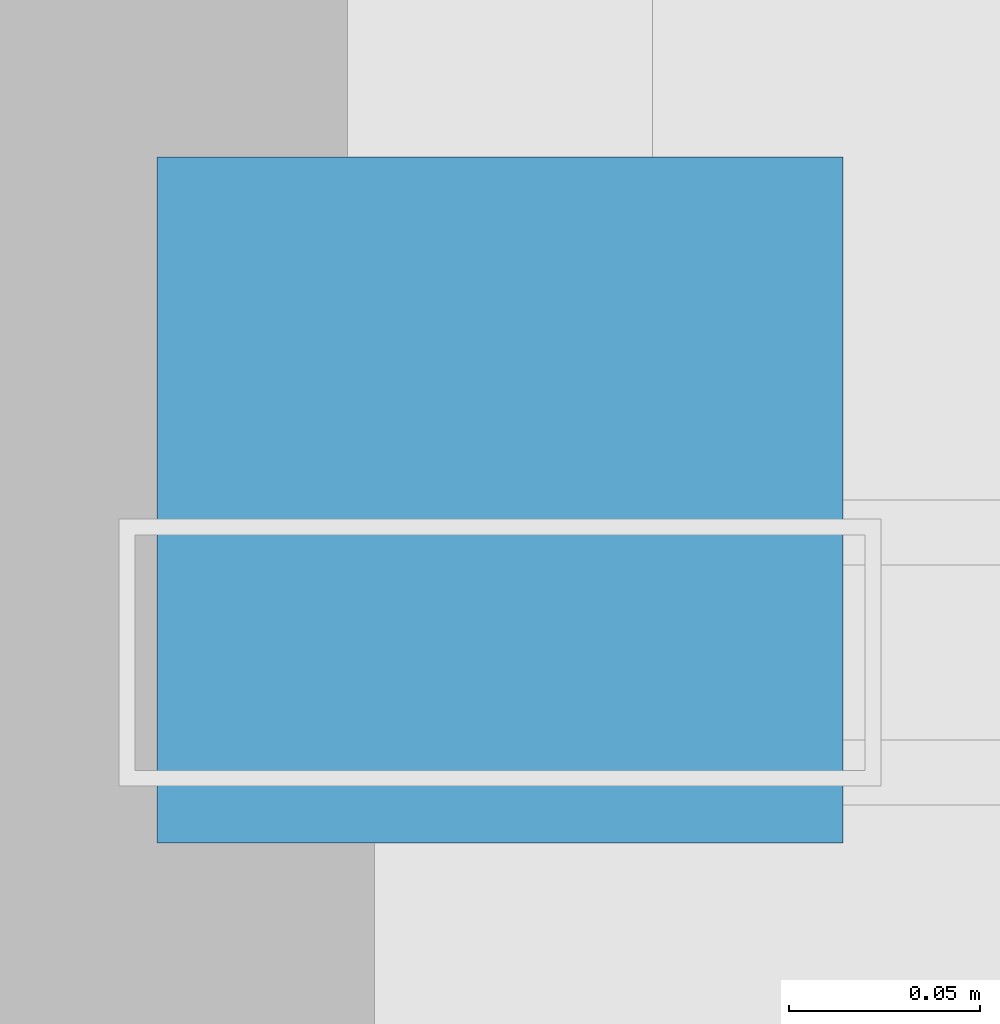
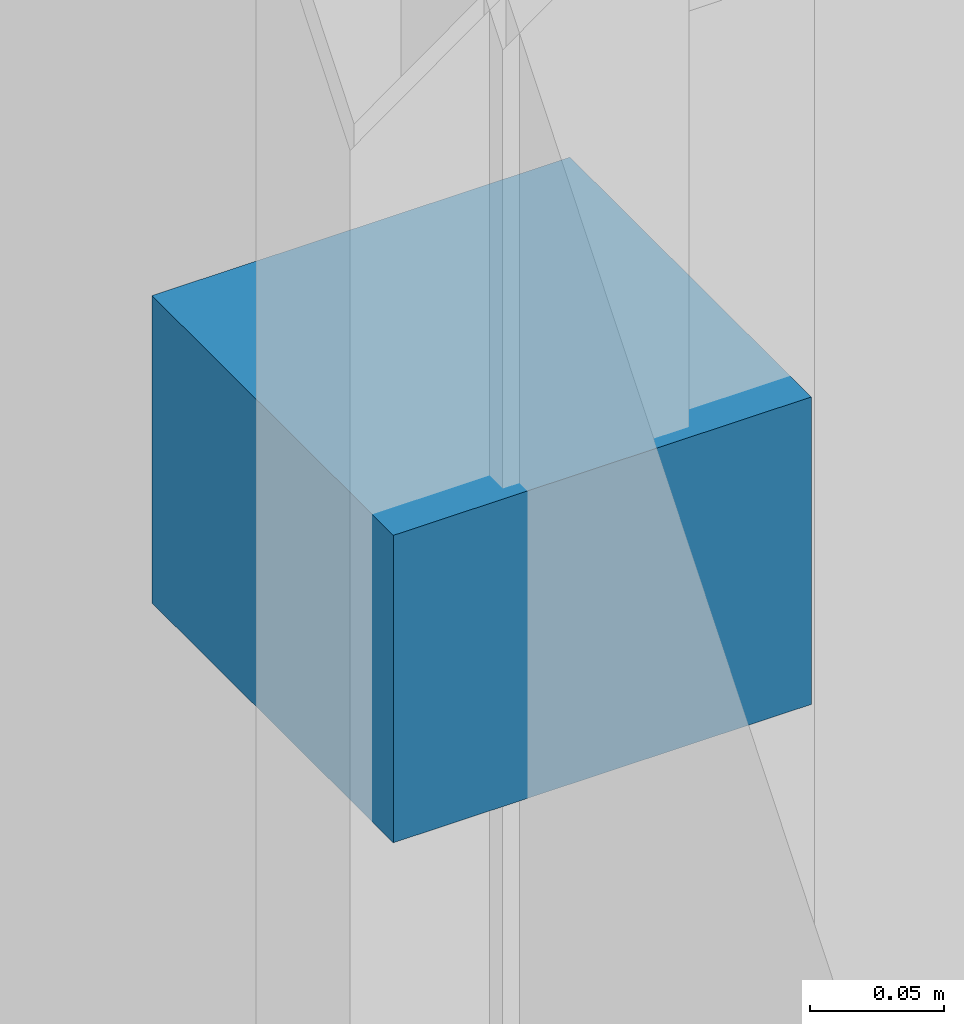
# One storey, part 50 of 62: 1 discrete accessory.
"""IFC4 building model written with IfcOpenShell, lengths in metres."""

from ifc_helpers import new_model, si_unit, direction, frame, origin, origin_2d, place, context, subcontext, project, spatial, rectangle, extrude, material, layer, layer_set, type_object, element, save


model = new_model("IFC4")

# Units and contexts
model_context = context("Model", 3, precision=1e-05, world=origin(), true_north=direction((0.0, 1.0)))
body_context = subcontext(model_context, "Body", "Model", "MODEL_VIEW")
ifc_project = project(units=[si_unit("LENGTHUNIT", "METRE"), si_unit("AREAUNIT", "SQUARE_METRE"), si_unit("VOLUMEUNIT", "CUBIC_METRE"), si_unit("PLANEANGLEUNIT", "RADIAN"), si_unit("MASSUNIT", "GRAM", prefix="KILO")], contexts=[model_context])

# Site, building, storey
site_placement = place(None, origin())
site = spatial("IfcSite", under=ifc_project, at=site_placement, CompositionType="ELEMENT")
building_placement = place(site_placement, origin())
building = spatial("IfcBuilding", under=site, at=building_placement, Name="Vaelkrest Opera House", CompositionType="ELEMENT")
storey_placement = place(building_placement, frame((0.0, 0.0, 19.800048828125)))
storey = spatial("IfcBuildingStorey", under=building, at=storey_placement, Name="L04", CompositionType="ELEMENT", Elevation=19.800048828125)

# Discrete accessory
ifc_material = material(Name="Steel A572 Gr50", Category="steel")
ifc_layer = layer(ifc_material, 0.139892578125)
ifc_layer_set = layer_set([ifc_layer], Name="Steel A572 Gr50")
discrete_accessory_type = type_object("IfcDiscreteAccessoryType", Name="BRK01", PredefinedType="BRACKET", material=ifc_layer_set)
discrete_accessory_placement = place(storey_placement, frame((-63.26708984375, 17.739990234375, 1.72900390625), z_axis=(0.0, 0.0, 1.0), x_axis=(0.0, 1.0, 0.0)))
element("IfcDiscreteAccessory", 1, at=discrete_accessory_placement, inside=storey, type_object=discrete_accessory_type, Name="Shading fin bracket 18", PredefinedType="BRACKET", context=body_context, shape_type="SweptSolid", body=[
    extrude(rectangle(XDim=0.179931640625, YDim=0.179931640625, at=origin_2d()), origin(), (0.0, 0.0, 1.0), 0.139892578125),
])

save(model, "model.ifc")
